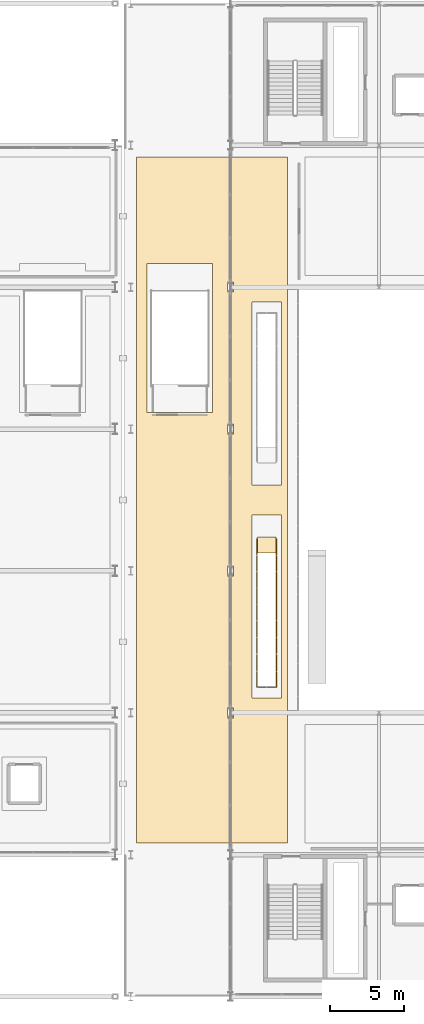
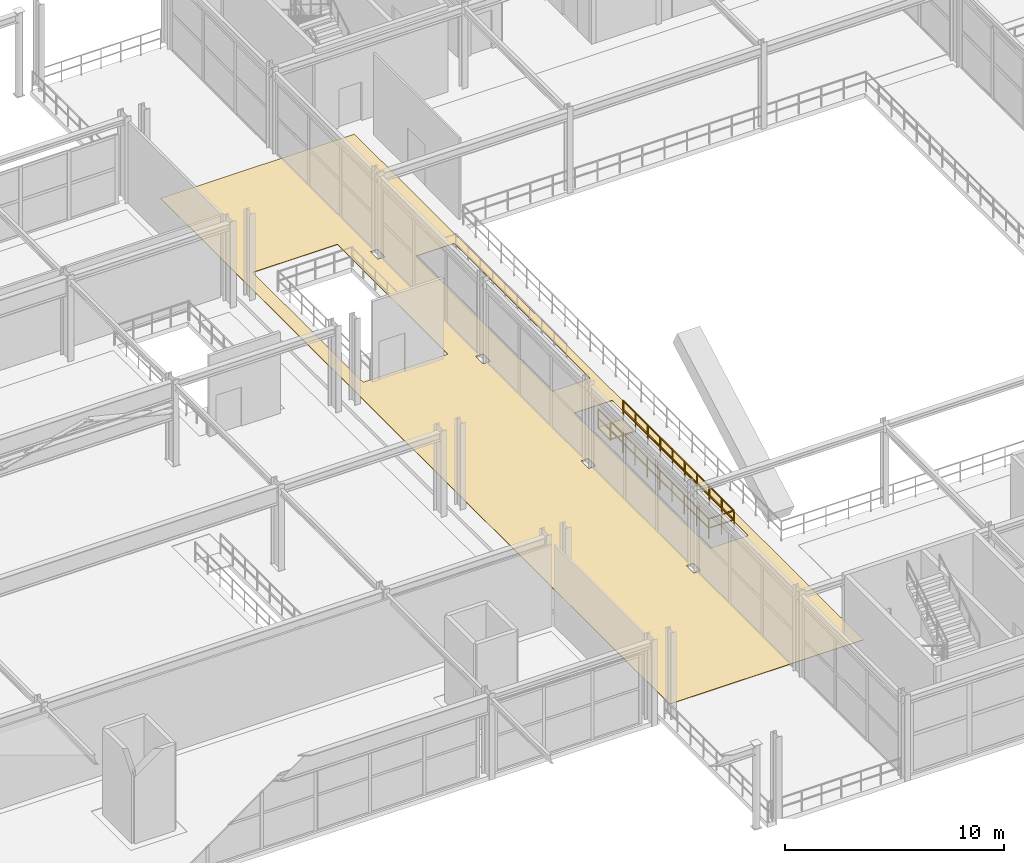
# One storey, part 100 of 125: 2 coverings, 1 railing.
"""IFC4 building model written with IfcOpenShell, lengths in metres."""

from ifc_helpers import new_model, si_unit, direction, frame, origin, origin_2d, place, context, subcontext, project, spatial, polyline, rectangle, outline, extrude, material, layer, layer_set, type_object, element, save


model = new_model("IFC4")

# Units and contexts
model_context = context("Model", 3, precision=1e-05, world=origin(), true_north=direction((0.0, 1.0)))
body_context = subcontext(model_context, "Body", "Model", "MODEL_VIEW")
ifc_project = project(units=[si_unit("LENGTHUNIT", "METRE"), si_unit("AREAUNIT", "SQUARE_METRE"), si_unit("VOLUMEUNIT", "CUBIC_METRE"), si_unit("PLANEANGLEUNIT", "RADIAN"), si_unit("MASSUNIT", "GRAM", prefix="KILO")], contexts=[model_context])

# Site, building, storey
site_placement = place(None, origin())
site = spatial("IfcSite", under=ifc_project, at=site_placement, CompositionType="ELEMENT")
building_placement = place(site_placement, origin())
building = spatial("IfcBuilding", under=site, at=building_placement, Name="Myrtia Square Station", CompositionType="ELEMENT")
storey_placement = place(building_placement, frame((0.0, 0.0, 6.0)))
storey = spatial("IfcBuildingStorey", under=building, at=storey_placement, Name="L01", CompositionType="ELEMENT", Elevation=6.0)

# Coverings
ifc_material_1 = material(Name="Terrazzo stone tile", Category="masonry")
ifc_layer = layer(ifc_material_1, 0.02490234375, Name="Terrazzo stone tile")
ifc_layer_set = layer_set([ifc_layer], Name="Terrazzo stone tile")
covering_type = type_object("IfcCoveringType", Name="COV-FLR-TERRAZZO", PredefinedType="FLOORING", material=ifc_layer_set)
covering_1_placement = place(storey_placement, origin())
element("IfcCovering", 1, at=covering_1_placement, inside=storey, type_object=covering_type, Name="Terrazzo concourse flooring L01-04", PredefinedType="FLOORING", context=body_context, shape_type="SweptSolid", body=[
    extrude(outline(polyline([(73.0, 85.60009765625), (83.199951171875, 85.60009765625), (83.199951171875, 39.199951171875), (73.0, 39.199951171875), (73.0, 85.60009765625)]), holes=[polyline([(79.5400390625, 47.659912109375), (79.5400390625, 48.340087890625), (79.159912109375, 48.340087890625), (79.159912109375, 47.659912109375), (79.5400390625, 47.659912109375)]), polyline([(79.5400390625, 57.93994140625), (79.159912109375, 57.93994140625), (79.159912109375, 57.260009765625), (79.5400390625, 57.260009765625), (79.5400390625, 57.93994140625)]), polyline([(79.5400390625, 67.5400390625), (79.159912109375, 67.5400390625), (79.159912109375, 66.860107421875), (79.5400390625, 66.860107421875), (79.5400390625, 67.5400390625)]), polyline([(78.14990234375, 68.330078125), (78.14990234375, 78.39990234375), (73.68994140625, 78.39990234375), (73.68994140625, 68.330078125), (78.14990234375, 68.330078125)]), polyline([(79.5400390625, 76.4599609375), (79.5400390625, 77.139892578125), (79.159912109375, 77.139892578125), (79.159912109375, 76.4599609375), (79.5400390625, 76.4599609375)]), polyline([(82.800048828125, 61.39990234375), (80.800048828125, 61.39990234375), (80.800048828125, 49.0), (82.800048828125, 49.0), (82.800048828125, 61.39990234375)]), polyline([(82.800048828125, 75.800048828125), (80.800048828125, 75.800048828125), (80.800048828125, 63.39990234375), (82.800048828125, 63.39990234375), (82.800048828125, 75.800048828125)])]), origin(), (0.0, 0.0, 1.0), 0.02490234375),
])
covering_2_placement = place(storey_placement, frame((0.0, 0.0, -0.080078125)))
element("IfcCovering", 2, at=covering_2_placement, inside=storey, type_object=covering_type, Name="Escalator ESC-05 upper comb landing", PredefinedType="FLOORING", context=body_context, shape_type="SweptSolid", body=[
    extrude(outline(polyline([(81.179931640625, 58.81005859375), (82.419921875, 58.81005859375), (82.419921875, 59.909912109375), (81.179931640625, 59.909912109375), (81.179931640625, 58.81005859375)])), origin(), (0.0, 0.0, 1.0), 0.080078125),
])

# Railing
ifc_material_2 = material(Name="Wrought iron", Category="steel")
railing_type = type_object("IfcRailingType", Name="RL-INT-GUARD-1100", PredefinedType="BALUSTRADE", material=ifc_material_2)
railing_placement = place(storey_placement, frame((81.139892578125, 59.81005859375, 0.0)))
element("IfcRailing", 3, at=railing_placement, inside=storey, type_object=railing_type, Name="Escalator ESC-05 upper well guard", PredefinedType="BALUSTRADE", context=body_context, shape_type="SweptSolid", body=[
    extrude(rectangle(XDim=0.048095703125, YDim=0.048095703125, at=origin_2d()), frame((0.0, -0.03466796875, 1.09619140625), z_axis=(0.0, -1.0, 0.0), x_axis=(1.0, 0.0, 0.0)), (0.0, 0.0, 1.0), 1.0517578125),
    extrude(rectangle(XDim=0.048095703125, YDim=0.048095703125, at=origin_2d()), frame((0.0, -0.03466796875, 0.58251953125), z_axis=(0.0, -1.0, 0.0), x_axis=(1.0, 0.0, 0.0)), (0.0, 0.0, 1.0), 1.0517578125),
    extrude(rectangle(XDim=0.048095703125, YDim=0.048095703125, at=origin_2d()), frame((0.0, -1.15576171875, 1.09619140625), z_axis=(0.0, -1.0, 0.0), x_axis=(1.0, 0.0, 0.0)), (0.0, 0.0, 1.0), 1.0517578125),
    extrude(rectangle(XDim=0.048095703125, YDim=0.048095703125, at=origin_2d()), frame((0.0, -1.15576171875, 0.58251953125), z_axis=(0.0, -1.0, 0.0), x_axis=(1.0, 0.0, 0.0)), (0.0, 0.0, 1.0), 1.0517578125),
    extrude(rectangle(XDim=0.048095703125, YDim=0.048095703125, at=origin_2d()), frame((0.0, -2.27685546875, 1.09619140625), z_axis=(0.0, -1.0, 0.0), x_axis=(1.0, 0.0, 0.0)), (0.0, 0.0, 1.0), 1.0517578125),
    extrude(rectangle(XDim=0.048095703125, YDim=0.048095703125, at=origin_2d()), frame((0.0, -2.27685546875, 0.58251953125), z_axis=(0.0, -1.0, 0.0), x_axis=(1.0, 0.0, 0.0)), (0.0, 0.0, 1.0), 1.0517578125),
    extrude(rectangle(XDim=0.048095703125, YDim=0.048095703125, at=origin_2d()), frame((0.0, -3.39794921875, 1.09619140625), z_axis=(0.0, -1.0, 0.0), x_axis=(1.0, 0.0, 0.0)), (0.0, 0.0, 1.0), 1.0517578125),
    extrude(rectangle(XDim=0.048095703125, YDim=0.048095703125, at=origin_2d()), frame((0.0, -3.39794921875, 0.58251953125), z_axis=(0.0, -1.0, 0.0), x_axis=(1.0, 0.0, 0.0)), (0.0, 0.0, 1.0), 1.0517578125),
    extrude(rectangle(XDim=0.048095703125, YDim=0.048095703125, at=origin_2d()), frame((0.0, -4.51904296875, 1.09619140625), z_axis=(0.0, -1.0, 0.0), x_axis=(1.0, 0.0, 0.0)), (0.0, 0.0, 1.0), 1.0517578125),
    extrude(rectangle(XDim=0.048095703125, YDim=0.048095703125, at=origin_2d()), frame((0.0, -4.51904296875, 0.58251953125), z_axis=(0.0, -1.0, 0.0), x_axis=(1.0, 0.0, 0.0)), (0.0, 0.0, 1.0), 1.0517578125),
    extrude(rectangle(XDim=0.048095703125, YDim=0.048095703125, at=origin_2d()), frame((0.0, -5.64013671875, 1.09619140625), z_axis=(0.0, -1.0, 0.0), x_axis=(1.0, 0.0, 0.0)), (0.0, 0.0, 1.0), 1.0517578125),
    extrude(rectangle(XDim=0.048095703125, YDim=0.048095703125, at=origin_2d()), frame((0.0, -5.64013671875, 0.58251953125), z_axis=(0.0, -1.0, 0.0), x_axis=(1.0, 0.0, 0.0)), (0.0, 0.0, 1.0), 1.0517578125),
    extrude(rectangle(XDim=0.048095703125, YDim=0.048095703125, at=origin_2d()), frame((0.0, -6.761474609375, 1.09619140625), z_axis=(0.0, -1.0, 0.0), x_axis=(1.0, 0.0, 0.0)), (0.0, 0.0, 1.0), 1.0517578125),
    extrude(rectangle(XDim=0.048095703125, YDim=0.048095703125, at=origin_2d()), frame((0.0, -6.761474609375, 0.58251953125), z_axis=(0.0, -1.0, 0.0), x_axis=(1.0, 0.0, 0.0)), (0.0, 0.0, 1.0), 1.0517578125),
    extrude(rectangle(XDim=0.048095703125, YDim=0.048095703125, at=origin_2d()), frame((0.0, -7.882568359375, 1.09619140625), z_axis=(0.0, -1.0, 0.0), x_axis=(1.0, 0.0, 0.0)), (0.0, 0.0, 1.0), 1.0517578125),
    extrude(rectangle(XDim=0.048095703125, YDim=0.048095703125, at=origin_2d()), frame((0.0, -7.882568359375, 0.58251953125), z_axis=(0.0, -1.0, 0.0), x_axis=(1.0, 0.0, 0.0)), (0.0, 0.0, 1.0), 1.0517578125),
    extrude(rectangle(XDim=0.048095703125, YDim=0.048095703125, at=origin_2d()), frame((0.0, -9.003662109375, 1.09619140625), z_axis=(0.0, -1.0, 0.0), x_axis=(1.0, 0.0, 0.0)), (0.0, 0.0, 1.0), 1.0517578125),
    extrude(rectangle(XDim=0.048095703125, YDim=0.048095703125, at=origin_2d()), frame((0.0, -9.003662109375, 0.58251953125), z_axis=(0.0, -1.0, 0.0), x_axis=(1.0, 0.0, 0.0)), (0.0, 0.0, 1.0), 1.0517578125),
    extrude(rectangle(XDim=0.048095703125, YDim=0.048095703125, at=origin_2d()), frame((0.03466796875, -10.090087890625, 1.09619140625), z_axis=(1.0, 0.0, 0.0), x_axis=(0.0, 1.0, 0.0)), (0.0, 0.0, 1.0), 0.5908203125),
    extrude(rectangle(XDim=0.048095703125, YDim=0.048095703125, at=origin_2d()), frame((0.03466796875, -10.090087890625, 0.58251953125), z_axis=(1.0, 0.0, 0.0), x_axis=(0.0, 1.0, 0.0)), (0.0, 0.0, 1.0), 0.5908203125),
    extrude(rectangle(XDim=0.048095703125, YDim=0.048095703125, at=origin_2d()), frame((0.694580078125, -10.090087890625, 1.09619140625), z_axis=(1.0, 0.0, 0.0), x_axis=(0.0, 1.0, 0.0)), (0.0, 0.0, 1.0), 0.5908203125),
    extrude(rectangle(XDim=0.048095703125, YDim=0.048095703125, at=origin_2d()), frame((0.694580078125, -10.090087890625, 0.58251953125), z_axis=(1.0, 0.0, 0.0), x_axis=(0.0, 1.0, 0.0)), (0.0, 0.0, 1.0), 0.5908203125),
    extrude(rectangle(XDim=0.048095703125, YDim=0.048095703125, at=origin_2d()), frame((1.320068359375, -10.055419921875, 1.09619140625), z_axis=(0.0, 1.0, 0.0), x_axis=(-1.0, 0.0, 0.0)), (0.0, 0.0, 1.0), 1.0517578125),
    extrude(rectangle(XDim=0.048095703125, YDim=0.048095703125, at=origin_2d()), frame((1.320068359375, -10.055419921875, 0.58251953125), z_axis=(0.0, 1.0, 0.0), x_axis=(-1.0, 0.0, 0.0)), (0.0, 0.0, 1.0), 1.0517578125),
    extrude(rectangle(XDim=0.048095703125, YDim=0.048095703125, at=origin_2d()), frame((1.320068359375, -8.934326171875, 1.09619140625), z_axis=(0.0, 1.0, 0.0), x_axis=(-1.0, 0.0, 0.0)), (0.0, 0.0, 1.0), 1.0517578125),
    extrude(rectangle(XDim=0.048095703125, YDim=0.048095703125, at=origin_2d()), frame((1.320068359375, -8.934326171875, 0.58251953125), z_axis=(0.0, 1.0, 0.0), x_axis=(-1.0, 0.0, 0.0)), (0.0, 0.0, 1.0), 1.0517578125),
    extrude(rectangle(XDim=0.048095703125, YDim=0.048095703125, at=origin_2d()), frame((1.320068359375, -7.813232421875, 1.09619140625), z_axis=(0.0, 1.0, 0.0), x_axis=(-1.0, 0.0, 0.0)), (0.0, 0.0, 1.0), 1.0517578125),
    extrude(rectangle(XDim=0.048095703125, YDim=0.048095703125, at=origin_2d()), frame((1.320068359375, -7.813232421875, 0.58251953125), z_axis=(0.0, 1.0, 0.0), x_axis=(-1.0, 0.0, 0.0)), (0.0, 0.0, 1.0), 1.0517578125),
    extrude(rectangle(XDim=0.048095703125, YDim=0.048095703125, at=origin_2d()), frame((1.320068359375, -6.692138671875, 1.09619140625), z_axis=(0.0, 1.0, 0.0), x_axis=(-1.0, 0.0, 0.0)), (0.0, 0.0, 1.0), 1.0517578125),
    extrude(rectangle(XDim=0.048095703125, YDim=0.048095703125, at=origin_2d()), frame((1.320068359375, -6.692138671875, 0.58251953125), z_axis=(0.0, 1.0, 0.0), x_axis=(-1.0, 0.0, 0.0)), (0.0, 0.0, 1.0), 1.0517578125),
    extrude(rectangle(XDim=0.048095703125, YDim=0.048095703125, at=origin_2d()), frame((1.320068359375, -5.571044921875, 1.09619140625), z_axis=(0.0, 1.0, 0.0), x_axis=(-1.0, 0.0, 0.0)), (0.0, 0.0, 1.0), 1.0517578125),
    extrude(rectangle(XDim=0.048095703125, YDim=0.048095703125, at=origin_2d()), frame((1.320068359375, -5.571044921875, 0.58251953125), z_axis=(0.0, 1.0, 0.0), x_axis=(-1.0, 0.0, 0.0)), (0.0, 0.0, 1.0), 1.0517578125),
    extrude(rectangle(XDim=0.048095703125, YDim=0.048095703125, at=origin_2d()), frame((1.320068359375, -4.449951171875, 1.09619140625), z_axis=(0.0, 1.0, 0.0), x_axis=(-1.0, 0.0, 0.0)), (0.0, 0.0, 1.0), 1.0517578125),
    extrude(rectangle(XDim=0.048095703125, YDim=0.048095703125, at=origin_2d()), frame((1.320068359375, -4.449951171875, 0.58251953125), z_axis=(0.0, 1.0, 0.0), x_axis=(-1.0, 0.0, 0.0)), (0.0, 0.0, 1.0), 1.0517578125),
    extrude(rectangle(XDim=0.048095703125, YDim=0.048095703125, at=origin_2d()), frame((1.320068359375, -3.32861328125, 1.09619140625), z_axis=(0.0, 1.0, 0.0), x_axis=(-1.0, 0.0, 0.0)), (0.0, 0.0, 1.0), 1.0517578125),
    extrude(rectangle(XDim=0.048095703125, YDim=0.048095703125, at=origin_2d()), frame((1.320068359375, -3.32861328125, 0.58251953125), z_axis=(0.0, 1.0, 0.0), x_axis=(-1.0, 0.0, 0.0)), (0.0, 0.0, 1.0), 1.0517578125),
    extrude(rectangle(XDim=0.048095703125, YDim=0.048095703125, at=origin_2d()), frame((1.320068359375, -2.20751953125, 1.09619140625), z_axis=(0.0, 1.0, 0.0), x_axis=(-1.0, 0.0, 0.0)), (0.0, 0.0, 1.0), 1.0517578125),
    extrude(rectangle(XDim=0.048095703125, YDim=0.048095703125, at=origin_2d()), frame((1.320068359375, -2.20751953125, 0.58251953125), z_axis=(0.0, 1.0, 0.0), x_axis=(-1.0, 0.0, 0.0)), (0.0, 0.0, 1.0), 1.0517578125),
    extrude(rectangle(XDim=0.048095703125, YDim=0.048095703125, at=origin_2d()), frame((1.320068359375, -1.08642578125, 1.09619140625), z_axis=(0.0, 1.0, 0.0), x_axis=(-1.0, 0.0, 0.0)), (0.0, 0.0, 1.0), 1.0517578125),
    extrude(rectangle(XDim=0.048095703125, YDim=0.048095703125, at=origin_2d()), frame((1.320068359375, -1.08642578125, 0.58251953125), z_axis=(0.0, 1.0, 0.0), x_axis=(-1.0, 0.0, 0.0)), (0.0, 0.0, 1.0), 1.0517578125),
    extrude(rectangle(XDim=0.0439453125, YDim=0.0439453125, at=origin_2d()), origin(), (0.0, 0.0, 1.0), 1.1201171875),
    extrude(rectangle(XDim=0.0439453125, YDim=0.0439453125, at=origin_2d()), frame((0.0, -1.12109375, 0.0)), (0.0, 0.0, 1.0), 1.1201171875),
    extrude(rectangle(XDim=0.0439453125, YDim=0.0439453125, at=origin_2d()), frame((0.0, -2.2421875, 0.0)), (0.0, 0.0, 1.0), 1.1201171875),
    extrude(rectangle(XDim=0.0439453125, YDim=0.0439453125, at=origin_2d()), frame((0.0, -3.36328125, 0.0)), (0.0, 0.0, 1.0), 1.1201171875),
    extrude(rectangle(XDim=0.0439453125, YDim=0.0439453125, at=origin_2d()), frame((0.0, -4.484375, 0.0)), (0.0, 0.0, 1.0), 1.1201171875),
    extrude(rectangle(XDim=0.0439453125, YDim=0.0439453125, at=origin_2d()), frame((0.0, -5.605712890625, 0.0)), (0.0, 0.0, 1.0), 1.1201171875),
    extrude(rectangle(XDim=0.0439453125, YDim=0.0439453125, at=origin_2d()), frame((0.0, -6.726806640625, 0.0)), (0.0, 0.0, 1.0), 1.1201171875),
    extrude(rectangle(XDim=0.0439453125, YDim=0.0439453125, at=origin_2d()), frame((0.0, -7.847900390625, 0.0)), (0.0, 0.0, 1.0), 1.1201171875),
    extrude(rectangle(XDim=0.0439453125, YDim=0.0439453125, at=origin_2d()), frame((0.0, -8.968994140625, 0.0)), (0.0, 0.0, 1.0), 1.1201171875),
    extrude(rectangle(XDim=0.0439453125, YDim=0.0439453125, at=origin_2d()), frame((0.0, -10.090087890625, 0.0)), (0.0, 0.0, 1.0), 1.1201171875),
    extrude(rectangle(XDim=0.0439453125, YDim=0.0439453125, at=origin_2d()), frame((0.66015625, -10.090087890625, 0.0)), (0.0, 0.0, 1.0), 1.1201171875),
    extrude(rectangle(XDim=0.0439453125, YDim=0.0439453125, at=origin_2d()), frame((1.320068359375, -10.090087890625, 0.0)), (0.0, 0.0, 1.0), 1.1201171875),
    extrude(rectangle(XDim=0.0439453125, YDim=0.0439453125, at=origin_2d()), frame((1.320068359375, -8.968994140625, 0.0)), (0.0, 0.0, 1.0), 1.1201171875),
    extrude(rectangle(XDim=0.0439453125, YDim=0.0439453125, at=origin_2d()), frame((1.320068359375, -7.847900390625, 0.0)), (0.0, 0.0, 1.0), 1.1201171875),
    extrude(rectangle(XDim=0.0439453125, YDim=0.0439453125, at=origin_2d()), frame((1.320068359375, -6.726806640625, 0.0)), (0.0, 0.0, 1.0), 1.1201171875),
    extrude(rectangle(XDim=0.0439453125, YDim=0.0439453125, at=origin_2d()), frame((1.320068359375, -5.605712890625, 0.0)), (0.0, 0.0, 1.0), 1.1201171875),
    extrude(rectangle(XDim=0.0439453125, YDim=0.0439453125, at=origin_2d()), frame((1.320068359375, -4.484375, 0.0)), (0.0, 0.0, 1.0), 1.1201171875),
    extrude(rectangle(XDim=0.0439453125, YDim=0.0439453125, at=origin_2d()), frame((1.320068359375, -3.36328125, 0.0)), (0.0, 0.0, 1.0), 1.1201171875),
    extrude(rectangle(XDim=0.0439453125, YDim=0.0439453125, at=origin_2d()), frame((1.320068359375, -2.2421875, 0.0)), (0.0, 0.0, 1.0), 1.1201171875),
    extrude(rectangle(XDim=0.0439453125, YDim=0.0439453125, at=origin_2d()), frame((1.320068359375, -1.12109375, 0.0)), (0.0, 0.0, 1.0), 1.1201171875),
    extrude(rectangle(XDim=0.0439453125, YDim=0.0439453125, at=origin_2d()), frame((1.320068359375, 0.0, 0.0)), (0.0, 0.0, 1.0), 1.1201171875),
])

save(model, "model.ifc")
